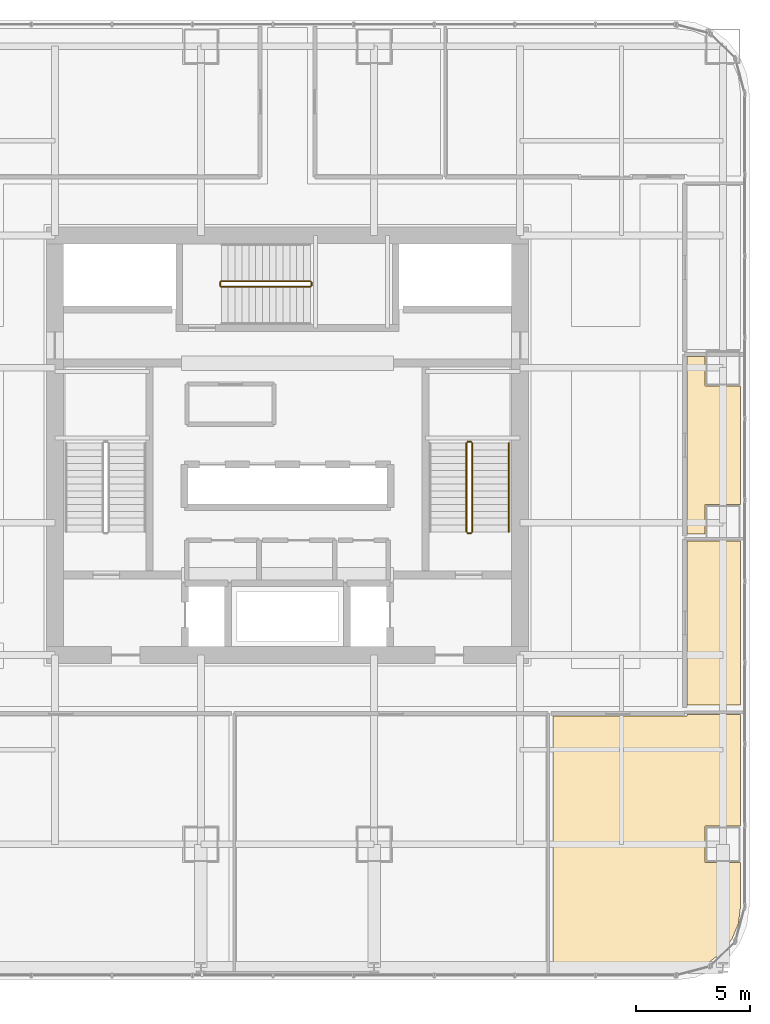
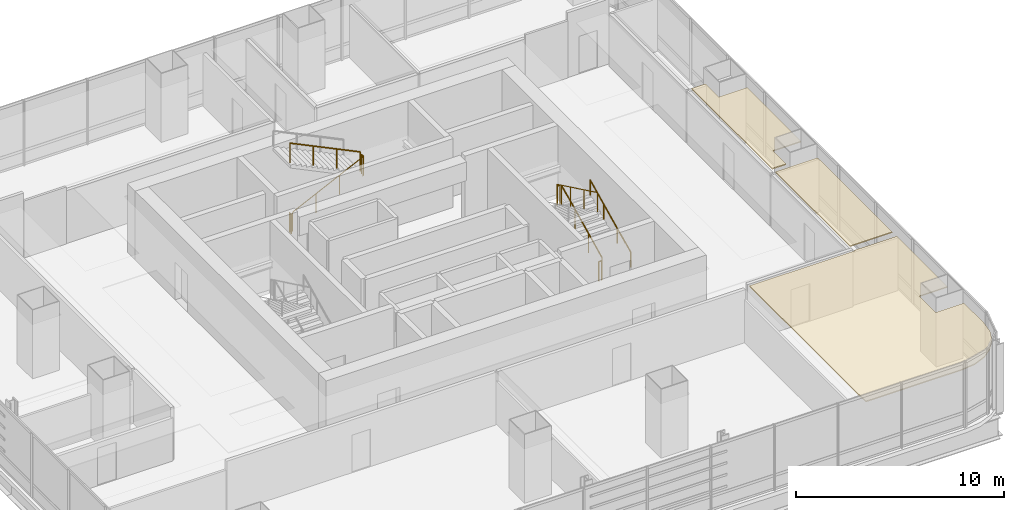
# One storey, part 35 of 36: 9 railings, 3 coverings.
"""IFC4 building model written with IfcOpenShell, lengths in metres."""

from ifc_helpers import new_model, si_unit, direction, frame, origin, origin_2d, place, context, subcontext, project, spatial, polyline, circle, outline, extrude, material, layer, layer_set, type_object, element, save


model = new_model("IFC4")

# Units and contexts
model_context = context("Model", 3, precision=1e-05, world=origin(), true_north=direction((0.0, 1.0)))
body_context = subcontext(model_context, "Body", "Model", "MODEL_VIEW")
ifc_project = project(units=[si_unit("LENGTHUNIT", "METRE"), si_unit("AREAUNIT", "SQUARE_METRE"), si_unit("VOLUMEUNIT", "CUBIC_METRE"), si_unit("PLANEANGLEUNIT", "RADIAN"), si_unit("MASSUNIT", "GRAM", prefix="KILO")], contexts=[model_context])

# Site, building, storey
site_placement = place(None, origin())
site = spatial("IfcSite", under=ifc_project, at=site_placement, CompositionType="ELEMENT")
building_placement = place(site_placement, origin())
building = spatial("IfcBuilding", under=site, at=building_placement, Name="Punatoya Terracotta Tower", CompositionType="ELEMENT")
storey_placement = place(building_placement, frame((0.0, 0.0, 36.300048828125)))
storey = spatial("IfcBuildingStorey", under=building, at=storey_placement, Name="L07", CompositionType="ELEMENT", Elevation=36.300048828125)

# Coverings
ifc_material_1 = material(Name="Acoustic Mineral Fibre Ceiling")
ifc_layer = layer(ifc_material_1, 0.06005859375)
ifc_layer_set = layer_set([ifc_layer], Name="Acoustic Mineral Fibre Ceiling")
covering_type = type_object("IfcCoveringType", Name="COV-CEIL-60", PredefinedType="CEILING", material=ifc_layer_set)
covering_1_placement = place(storey_placement, frame((0.0, 0.0, 3.199951171875)))
element("IfcCovering", 1, at=covering_1_placement, inside=storey, type_object=covering_type, Name="L07 Open-Plan Project Design Office Acoustic Ceiling", PredefinedType="CEILING", context=body_context, shape_type="SweptSolid", body=[
    extrude(outline(polyline([(17.52001953125, -11.8701171875), (11.64990234375, -11.8701171875), (11.64990234375, -23.070068359375), (17.025146484375, -23.070068359375), (17.779052734375, -22.970703125), (18.458251953125, -22.689453125), (19.041748046875, -22.24169921875), (19.489501953125, -21.658203125), (19.770751953125, -20.97900390625), (19.8701171875, -20.22509765625), (19.8701171875, -18.300048828125), (18.300048828125, -18.300048828125), (18.300048828125, -16.699951171875), (19.8701171875, -16.699951171875), (19.8701171875, -11.81005859375), (17.52001953125, -11.81005859375), (17.52001953125, -11.8701171875)])), origin(), (0.0, 0.0, 1.0), 0.06005859375),
])
covering_2_placement = place(storey_placement, frame((0.0, 0.0, 3.199951171875)))
element("IfcCovering", 2, at=covering_2_placement, inside=storey, type_object=covering_type, Name="L07 Client Strategy Boardroom Acoustic Ceiling", PredefinedType="CEILING", context=body_context, shape_type="SweptSolid", body=[
    extrude(outline(polyline([(17.52001953125, -4.202880859375), (17.52001953125, -11.389892578125), (19.8701171875, -11.389892578125), (19.8701171875, -4.202880859375), (17.52001953125, -4.202880859375)])), origin(), (0.0, 0.0, 1.0), 0.06005859375),
])
covering_3_placement = place(storey_placement, frame((0.0, 0.0, 3.199951171875)))
element("IfcCovering", 3, at=covering_3_placement, inside=storey, type_object=covering_type, Name="L07 Open-Plan Staff Tea Pantry Acoustic Ceiling", PredefinedType="CEILING", context=body_context, shape_type="SweptSolid", body=[
    extrude(outline(polyline([(18.300048828125, 2.60009765625), (18.300048828125, 3.883056640625), (17.52001953125, 3.883056640625), (17.52001953125, -3.883056640625), (18.300048828125, -3.883056640625), (18.300048828125, -2.60009765625), (19.8701171875, -2.60009765625), (19.8701171875, 2.60009765625), (18.300048828125, 2.60009765625)])), origin(), (0.0, 0.0, 1.0), 0.06005859375),
])

# Railings
ifc_material_2 = material(Name="Steel S355", Category="steel")
railing_type_1 = type_object("IfcRailingType", Name="RLG-GRD-1150", PredefinedType="GUARDRAIL", material=ifc_material_2)
railing_1_placement = place(storey_placement, frame((8.10009765625, -3.800048828125, 0.14453125)))
element("IfcRailing", 4, at=railing_1_placement, inside=storey, type_object=railing_type_1, Name="L07 ST-2 stair guard 1", PredefinedType="GUARDRAIL", context=body_context, shape_type="SweptSolid", body=[
    extrude(circle(Radius=0.02392578125, at=origin_2d()), frame((0.0, 0.0, 1.1259765625), z_axis=(0.0, 0.900773802044, 0.434288564841), x_axis=(-1.0, 0.0, 0.0)), (0.0, 0.0, 1.0), 4.329833984375),
    extrude(circle(Radius=0.02099609375, at=origin_2d()), origin(), (0.0, 0.0, 1.0), 1.101806640625),
    extrude(circle(Radius=0.02099609375, at=origin_2d()), frame((0.0, 1.300048828125, 0.626708984375)), (0.0, 0.0, 1.0), 1.101806640625),
    extrude(circle(Radius=0.02099609375, at=origin_2d()), frame((0.0, 2.60009765625, 1.253662109375)), (0.0, 0.0, 1.0), 1.101806640625),
    extrude(circle(Radius=0.02099609375, at=origin_2d()), frame((0.0, 3.900146484375, 1.88037109375)), (0.0, 0.0, 1.0), 1.101806640625),
])
railing_2_placement = place(storey_placement, frame((8.050048828125, 0.14990234375, 2.02490234375)))
element("IfcRailing", 5, at=railing_2_placement, inside=storey, type_object=railing_type_1, Name="L07 ST-2 stair guard 2", PredefinedType="GUARDRAIL", context=body_context, shape_type="SweptSolid", body=[
    extrude(circle(Radius=0.02392578125, at=origin_2d()), frame((0.0, 0.0, 1.1259765625), z_axis=(-1.0, 0.0, 0.0), x_axis=(0.0, -1.0, 0.0)), (0.0, 0.0, 1.0), 0.150146484375),
    extrude(circle(Radius=0.02099609375, at=origin_2d()), origin(), (0.0, 0.0, 1.0), 1.101806640625),
    extrude(circle(Radius=0.02099609375, at=origin_2d()), frame((-0.150146484375, 0.0, 0.0)), (0.0, 0.0, 1.0), 1.101806640625),
])
railing_3_placement = place(storey_placement, frame((7.85009765625, 0.10009765625, 2.169677734375)))
element("IfcRailing", 6, at=railing_3_placement, inside=storey, type_object=railing_type_1, Name="L07 ST-2 stair guard 3", PredefinedType="GUARDRAIL", context=body_context, shape_type="SweptSolid", body=[
    extrude(circle(Radius=0.02392578125, at=origin_2d()), frame((0.0, 0.0, 1.1259765625), z_axis=(0.0, -0.900773802044, 0.434288564841), x_axis=(1.0, 0.0, 0.0)), (0.0, 0.0, 1.0), 4.329833984375),
    extrude(circle(Radius=0.02099609375, at=origin_2d()), origin(), (0.0, 0.0, 1.0), 1.101806640625),
    extrude(circle(Radius=0.02099609375, at=origin_2d()), frame((0.0, -1.300048828125, 0.626708984375)), (0.0, 0.0, 1.0), 1.101806640625),
    extrude(circle(Radius=0.02099609375, at=origin_2d()), frame((0.0, -2.60009765625, 1.253662109375)), (0.0, 0.0, 1.0), 1.101806640625),
    extrude(circle(Radius=0.02099609375, at=origin_2d()), frame((0.0, -3.900146484375, 1.88037109375)), (0.0, 0.0, 1.0), 1.101806640625),
])
railing_4_placement = place(storey_placement, frame((8.050048828125, -3.85009765625, 0.0)))
element("IfcRailing", 7, at=railing_4_placement, inside=storey, type_object=railing_type_1, Name="L07 ST-2 stair guard 4", PredefinedType="GUARDRAIL", context=body_context, shape_type="SweptSolid", body=[
    extrude(circle(Radius=0.02392578125, at=origin_2d()), frame((0.0, 0.0, 1.1259765625), z_axis=(-1.0, 0.0, 0.0), x_axis=(0.0, -1.0, 0.0)), (0.0, 0.0, 1.0), 0.150146484375),
    extrude(circle(Radius=0.02099609375, at=origin_2d()), origin(), (0.0, 0.0, 1.0), 1.101806640625),
    extrude(circle(Radius=0.02099609375, at=origin_2d()), frame((-0.150146484375, 0.0, 0.0)), (0.0, 0.0, 1.0), 1.101806640625),
])
railing_5_placement = place(storey_placement, frame((-2.89990234375, 6.949951171875, 0.14453125)))
element("IfcRailing", 8, at=railing_5_placement, inside=storey, type_object=railing_type_1, Name="L07 ST-3 stair guard 1", PredefinedType="GUARDRAIL", context=body_context, shape_type="SweptSolid", body=[
    extrude(circle(Radius=0.02392578125, at=origin_2d()), frame((0.0, 0.0, 1.1259765625), z_axis=(0.900763166376, 0.0, 0.434310623978), x_axis=(0.0, 1.0, 0.0)), (0.0, 0.0, 1.0), 4.32958984375),
    extrude(circle(Radius=0.02099609375, at=origin_2d()), origin(), (0.0, 0.0, 1.0), 1.101806640625),
    extrude(circle(Radius=0.02099609375, at=origin_2d()), frame((1.300048828125, 0.0, 0.626708984375)), (0.0, 0.0, 1.0), 1.101806640625),
    extrude(circle(Radius=0.02099609375, at=origin_2d()), frame((2.599853515625, 0.0, 1.253662109375)), (0.0, 0.0, 1.0), 1.101806640625),
    extrude(circle(Radius=0.02099609375, at=origin_2d()), frame((3.89990234375, 0.0, 1.88037109375)), (0.0, 0.0, 1.0), 1.101806640625),
])
railing_6_placement = place(storey_placement, frame((1.050048828125, 7.0, 2.02490234375)))
element("IfcRailing", 9, at=railing_6_placement, inside=storey, type_object=railing_type_1, Name="L07 ST-3 stair guard 2", PredefinedType="GUARDRAIL", context=body_context, shape_type="SweptSolid", body=[
    extrude(circle(Radius=0.02392578125, at=origin_2d()), frame((0.0, 0.0, 1.1259765625), z_axis=(0.0, 1.0, 0.0), x_axis=(-1.0, 0.0, 0.0)), (0.0, 0.0, 1.0), 0.14990234375),
    extrude(circle(Radius=0.02099609375, at=origin_2d()), origin(), (0.0, 0.0, 1.0), 1.101806640625),
    extrude(circle(Radius=0.02099609375, at=origin_2d()), frame((0.0, 0.14990234375, 0.0)), (0.0, 0.0, 1.0), 1.101806640625),
])
railing_7_placement = place(storey_placement, frame((1.0, 7.199951171875, 2.169677734375)))
element("IfcRailing", 10, at=railing_7_placement, inside=storey, type_object=railing_type_1, Name="L07 ST-3 stair guard 3", PredefinedType="GUARDRAIL", context=body_context, shape_type="SweptSolid", body=[
    extrude(circle(Radius=0.02392578125, at=origin_2d()), frame((0.0, 0.0, 1.1259765625), z_axis=(-0.900763166376, 0.0, 0.434310623978), x_axis=(0.0, -1.0, 0.0)), (0.0, 0.0, 1.0), 4.32958984375),
    extrude(circle(Radius=0.02099609375, at=origin_2d()), origin(), (0.0, 0.0, 1.0), 1.101806640625),
    extrude(circle(Radius=0.02099609375, at=origin_2d()), frame((-1.300048828125, 0.0, 0.626708984375)), (0.0, 0.0, 1.0), 1.101806640625),
    extrude(circle(Radius=0.02099609375, at=origin_2d()), frame((-2.599853515625, 0.0, 1.253662109375)), (0.0, 0.0, 1.0), 1.101806640625),
    extrude(circle(Radius=0.02099609375, at=origin_2d()), frame((-3.89990234375, 0.0, 1.88037109375)), (0.0, 0.0, 1.0), 1.101806640625),
])
railing_8_placement = place(storey_placement, frame((-2.949951171875, 7.0, 0.0)))
element("IfcRailing", 11, at=railing_8_placement, inside=storey, type_object=railing_type_1, Name="L07 ST-3 stair guard 4", PredefinedType="GUARDRAIL", context=body_context, shape_type="SweptSolid", body=[
    extrude(circle(Radius=0.02392578125, at=origin_2d()), frame((0.0, 0.0, 1.1259765625), z_axis=(0.0, 1.0, 0.0), x_axis=(-1.0, 0.0, 0.0)), (0.0, 0.0, 1.0), 0.14990234375),
    extrude(circle(Radius=0.02099609375, at=origin_2d()), origin(), (0.0, 0.0, 1.0), 1.101806640625),
    extrude(circle(Radius=0.02099609375, at=origin_2d()), frame((0.0, 0.14990234375, 0.0)), (0.0, 0.0, 1.0), 1.101806640625),
])
railing_type_2 = type_object("IfcRailingType", Name="RLG-HND-900", PredefinedType="HANDRAIL", material=ifc_material_2)
railing_9_placement = place(storey_placement, frame((9.699951171875, -3.800048828125, 0.14453125)))
element("IfcRailing", 12, at=railing_9_placement, inside=storey, type_object=railing_type_2, Name="L07 ST-2 stair handrail 1", PredefinedType="HANDRAIL", context=body_context, shape_type="SweptSolid", body=[
    extrude(circle(Radius=0.02392578125, at=origin_2d()), frame((0.0, 0.0, 0.8759765625), z_axis=(0.0, 0.900773802044, 0.434288564841), x_axis=(-1.0, 0.0, 0.0)), (0.0, 0.0, 1.0), 4.329833984375),
    extrude(circle(Radius=0.02099609375, at=origin_2d()), origin(), (0.0, 0.0, 1.0), 0.851806640625),
    extrude(circle(Radius=0.02099609375, at=origin_2d()), frame((0.0, 1.300048828125, 0.626708984375)), (0.0, 0.0, 1.0), 0.851806640625),
    extrude(circle(Radius=0.02099609375, at=origin_2d()), frame((0.0, 2.60009765625, 1.253662109375)), (0.0, 0.0, 1.0), 0.851806640625),
    extrude(circle(Radius=0.02099609375, at=origin_2d()), frame((0.0, 3.900146484375, 1.88037109375)), (0.0, 0.0, 1.0), 0.851806640625),
])

save(model, "model.ifc")
